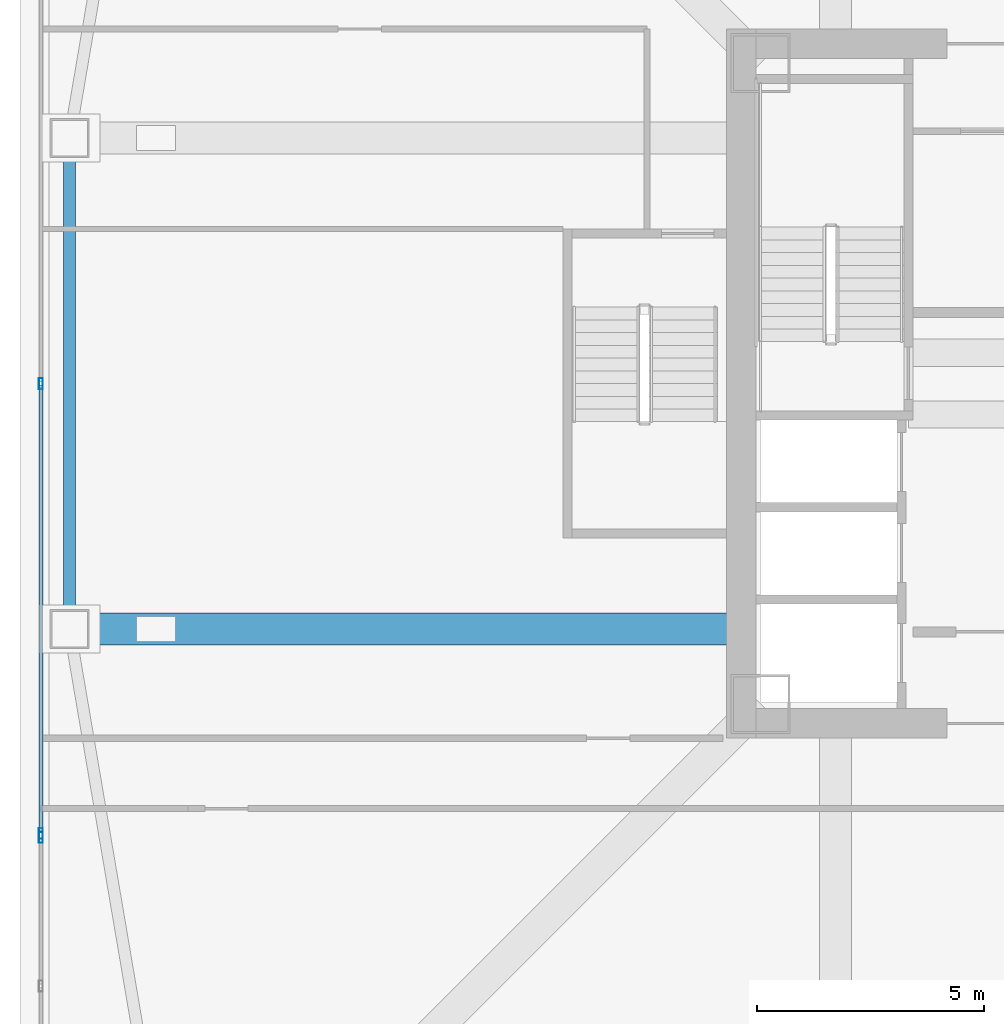
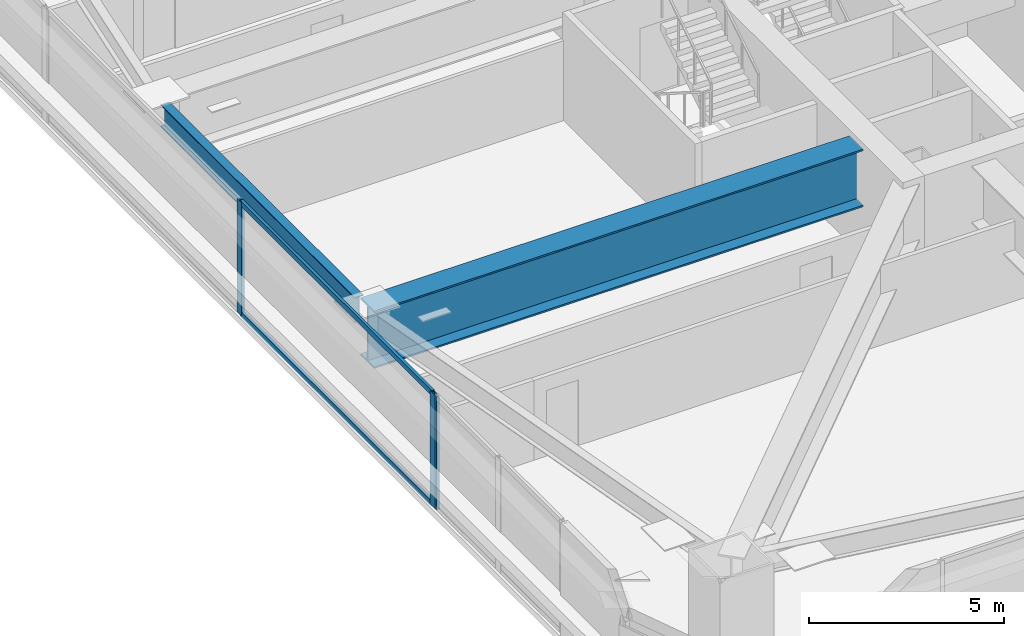
# One storey, part 7 of 48: 5 members, 2 beams, 2 elements without a shape of their own.
"""IFC4 building model written with IfcOpenShell, lengths in metres."""

from ifc_helpers import new_model, si_unit, direction, frame, origin, origin_2d, place, context, subcontext, project, spatial, hollow_rectangle, i_section, extrude, material, material_profile, profile_set, type_object, element, aggregate, save


model = new_model("IFC4")

# Units and contexts
model_context = context("Model", 3, precision=1e-05, world=origin(), true_north=direction((0.0, 1.0)))
body_context = subcontext(model_context, "Body", "Model", "MODEL_VIEW")
ifc_project = project(units=[si_unit("LENGTHUNIT", "METRE"), si_unit("AREAUNIT", "SQUARE_METRE"), si_unit("VOLUMEUNIT", "CUBIC_METRE"), si_unit("PLANEANGLEUNIT", "RADIAN"), si_unit("MASSUNIT", "GRAM", prefix="KILO")], contexts=[model_context])

# Site, building, storey
site_placement = place(None, origin())
site = spatial("IfcSite", under=ifc_project, at=site_placement, CompositionType="ELEMENT")
building_placement = place(site_placement, origin())
building = spatial("IfcBuilding", under=site, at=building_placement, Name="Tashvorn Skyway Center", CompositionType="ELEMENT")
storey_placement = place(building_placement, frame((0.0, 0.0, 63.64990234375)))
storey = spatial("IfcBuildingStorey", under=building, at=storey_placement, Name="L16", CompositionType="ELEMENT", Elevation=63.64990234375)

# Beams
ifc_material_1 = material(Name="Steel ASTM A572 Grade 50", Category="steel")
ifc_material_profile_1 = material_profile(ifc_material_1, i_section(OverallWidth=0.699951171875, OverallDepth=1.800048828125, WebThickness=0.031982421875, FlangeThickness=0.050048828125, at=origin_2d()), Name="PG1800x700")
ifc_profile_set_1 = profile_set([ifc_material_profile_1], Name="Steel ASTM A572 Grade 50")
beam_type_1 = type_object("IfcBeamType", Name="BM-BEAM-PG1800x700", PredefinedType="BEAM", material=ifc_profile_set_1)
beam_1_placement = place(storey_placement, frame((19.75, 26.60009765625, 2.4501953125), z_axis=(1.0, 0.0, 0.0), x_axis=(0.0, 1.0, 0.0)))
element("IfcBeam", 1, at=beam_1_placement, inside=storey, type_object=beam_type_1, Name="Tower 1 L16 Setback Transfer Girder FC-W2", PredefinedType="BEAM", context=body_context, shape_type="SweptSolid", body=[
    extrude(i_section(OverallWidth=0.699951171875, OverallDepth=1.800048828125, WebThickness=0.031982421875, FlangeThickness=0.050048828125, at=origin_2d()), origin(), (0.0, 0.0, 1.0), 14.469970703125),
])
ifc_material_2 = material(Name="Steel ASTM A992 Grade 50", Category="steel")
ifc_material_profile_2 = material_profile(ifc_material_2, i_section(OverallWidth=0.256103515625, OverallDepth=0.693115234375, WebThickness=0.014404296875, FlangeThickness=0.023681640625, at=origin_2d()), Name="W27X114")
ifc_profile_set_2 = profile_set([ifc_material_profile_2], Name="Steel ASTM A992 Grade 50")
beam_type_2 = type_object("IfcBeamType", Name="BM-SPANDREL-W27X114", PredefinedType="SPANDREL", material=ifc_profile_set_2)
beam_2_placement = place(storey_placement, frame((19.75, 36.97998046875, 3.003662109375), z_axis=(0.0, -1.0, 0.0), x_axis=(1.0, 0.0, 0.0)))
element("IfcBeam", 2, at=beam_2_placement, inside=storey, type_object=beam_type_2, Name="Tower 1 L16 Spandrel Beam 11", PredefinedType="SPANDREL", context=body_context, shape_type="SweptSolid", body=[
    extrude(i_section(OverallWidth=0.256103515625, OverallDepth=0.693115234375, WebThickness=0.014404296875, FlangeThickness=0.023681640625, at=origin_2d()), origin(), (0.0, 0.0, 1.0), 9.9599609375),
])

# Curtain wall, member
ifc_material_3 = material(Name="Thermally broken bronze-anodized aluminium 6063-T6", Category="aluminium")
curtain_wall_type = type_object("IfcCurtainWallType", Name="CW-CW-Z1", PredefinedType="NOTDEFINED", material=ifc_material_3)
curtain_wall_1_placement = place(storey_placement, origin())
curtain_wall_1 = element("IfcCurtainWall", 3, at=curtain_wall_1_placement, inside=storey, type_object=curtain_wall_type, Name="Tower 1 L16 West Unitised Curtain Wall Glazing Group 1", PredefinedType="NOTDEFINED")
ifc_material_profile_3 = material_profile(ifc_material_3, hollow_rectangle(XDim=0.0849609375, YDim=0.239990234375, WallThickness=0.0048828125, at=origin_2d()), Name="ALU-MULL-85x240")
ifc_profile_set_3 = profile_set([ifc_material_profile_3], Name="Thermally broken bronze-anodized aluminium 6063-T6")
member_type_1 = type_object("IfcMemberType", Name="CWM-CW-Z1", PredefinedType="MULLION", material=ifc_profile_set_3)
member_1_placement = place(storey_placement, frame((19.1201171875, 22.017578125, 0.0), z_axis=(0.0, 0.0, 1.0), x_axis=(-1.0, 0.0, 0.0)))
member_1 = element("IfcMember", 4, at=member_1_placement, type_object=member_type_1, Name="CW-Z1 mullion 3", PredefinedType="MULLION", context=body_context, shape_type="SweptSolid", body=[
    extrude(hollow_rectangle(XDim=0.0849609375, YDim=0.239990234375, WallThickness=0.0048828125, at=origin_2d()), origin(), (0.0, 0.0, 1.0), 3.550048828125),
])
aggregate(curtain_wall_1, [member_1])

# Curtain wall, members
curtain_wall_2_placement = place(storey_placement, origin())
curtain_wall_2 = element("IfcCurtainWall", 5, at=curtain_wall_2_placement, inside=storey, type_object=curtain_wall_type, Name="Tower 1 L16 West Unitised Curtain Wall Glazing Group 2", PredefinedType="NOTDEFINED")
member_2_placement = place(storey_placement, frame((19.1201171875, 22.1025390625, 0.0), z_axis=(0.0, 0.0, 1.0), x_axis=(-1.0, 0.0, 0.0)))
member_2 = element("IfcMember", 6, at=member_2_placement, type_object=member_type_1, Name="CW-Z1 mullion 1", PredefinedType="MULLION", context=body_context, shape_type="SweptSolid", body=[
    extrude(hollow_rectangle(XDim=0.0849609375, YDim=0.239990234375, WallThickness=0.0048828125, at=origin_2d()), origin(), (0.0, 0.0, 1.0), 3.550048828125),
])
member_3_placement = place(storey_placement, frame((19.1201171875, 32.0, 0.0), z_axis=(0.0, 0.0, 1.0), x_axis=(-1.0, 0.0, 0.0)))
member_3 = element("IfcMember", 7, at=member_3_placement, type_object=member_type_1, Name="CW-Z1 mullion 2", PredefinedType="MULLION", context=body_context, shape_type="SweptSolid", body=[
    extrude(hollow_rectangle(XDim=0.0849609375, YDim=0.239990234375, WallThickness=0.0048828125, at=origin_2d()), origin(), (0.0, 0.0, 1.0), 3.550048828125),
])
ifc_material_profile_4 = material_profile(ifc_material_3, hollow_rectangle(XDim=0.0849609375, YDim=0.1650390625, WallThickness=0.0048828125, at=origin_2d()), Name="ALU-TRAN-85x165")
ifc_profile_set_4 = profile_set([ifc_material_profile_4], Name="Thermally broken bronze-anodized aluminium 6063-T6")
member_type_2 = type_object("IfcMemberType", Name="CWT-CW-Z1", PredefinedType="USERDEFINED", material=ifc_profile_set_4)
member_4_placement = place(storey_placement, frame((19.1201171875, 22.14501953125, 0.04248046875), z_axis=(0.0, 1.0, 0.0), x_axis=(-1.0, 0.0, 0.0)))
member_4 = element("IfcMember", 8, at=member_4_placement, type_object=member_type_2, Name="CW-Z1 transom 1.1", ObjectType="TRANSOM", PredefinedType="USERDEFINED", context=body_context, shape_type="SweptSolid", body=[
    extrude(hollow_rectangle(XDim=0.0849609375, YDim=0.1650390625, WallThickness=0.0048828125, at=origin_2d()), origin(), (0.0, 0.0, 1.0), 9.8125),
])
member_5_placement = place(storey_placement, frame((19.1201171875, 22.14501953125, 3.507568359375), z_axis=(0.0, 1.0, 0.0), x_axis=(-1.0, 0.0, 0.0)))
member_5 = element("IfcMember", 9, at=member_5_placement, type_object=member_type_2, Name="CW-Z1 transom 1.2", ObjectType="TRANSOM", PredefinedType="USERDEFINED", context=body_context, shape_type="SweptSolid", body=[
    extrude(hollow_rectangle(XDim=0.0849609375, YDim=0.1650390625, WallThickness=0.0048828125, at=origin_2d()), origin(), (0.0, 0.0, 1.0), 9.8125),
])
aggregate(curtain_wall_2, [member_2, member_3, member_4, member_5])

save(model, "model.ifc")
